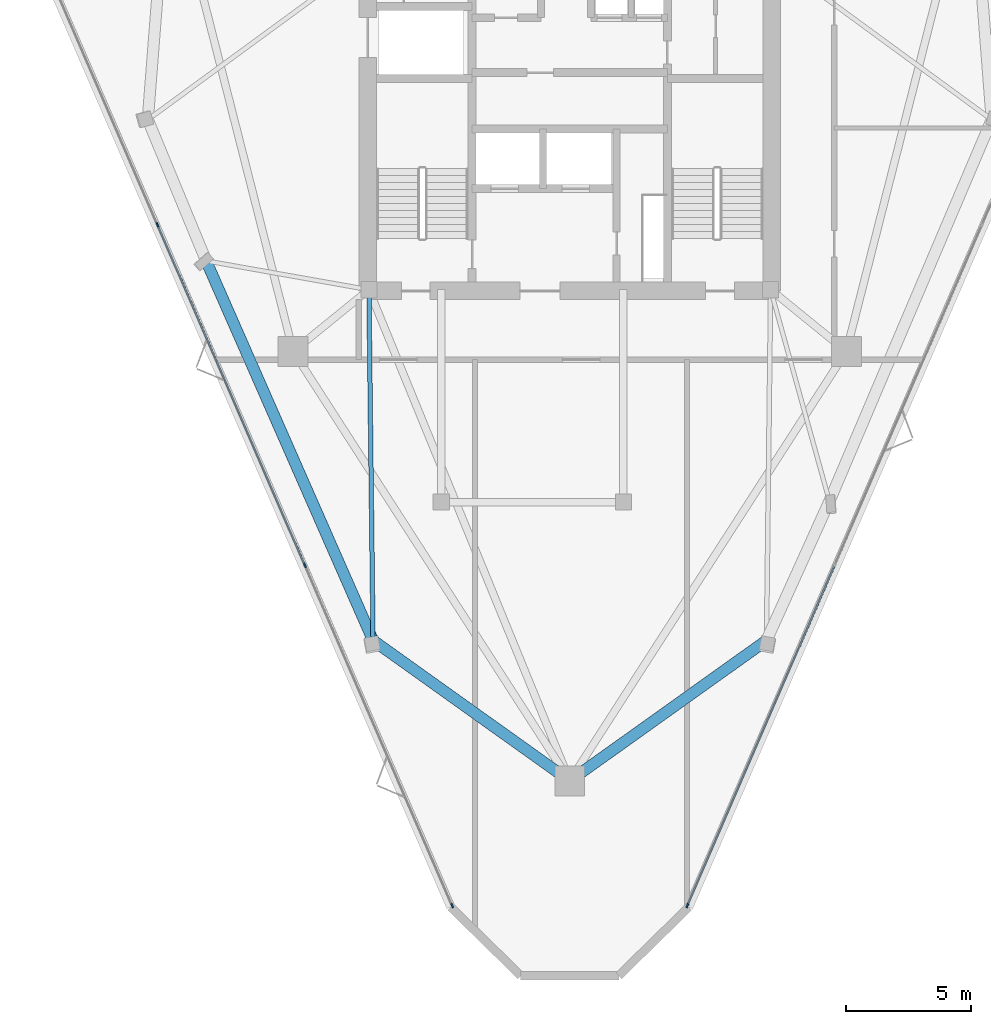
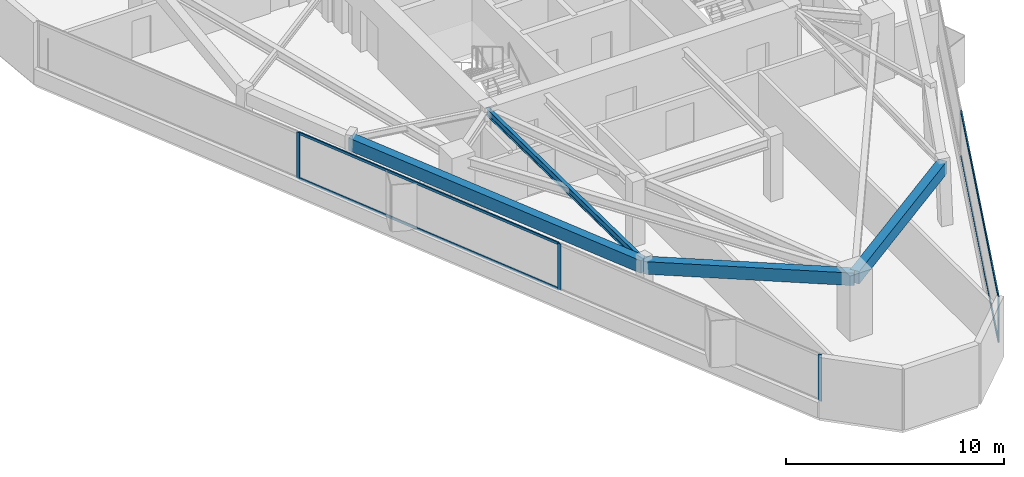
# One storey, part 2 of 11: 8 members, 4 beams, 2 elements without a shape of their own.
"""IFC4 building model written with IfcOpenShell, lengths in metres."""

from ifc_helpers import new_model, si_unit, direction, frame, origin, origin_2d, place, context, subcontext, project, spatial, rectangle, i_section, extrude, material, layer, layer_set, material_profile, profile_set, type_object, element, aggregate, save


model = new_model("IFC4")

# Units and contexts
model_context = context("Model", 3, precision=1e-05, world=origin(), true_north=direction((0.0, 1.0)))
body_context = subcontext(model_context, "Body", "Model", "MODEL_VIEW")
ifc_project = project(units=[si_unit("LENGTHUNIT", "METRE"), si_unit("AREAUNIT", "SQUARE_METRE"), si_unit("VOLUMEUNIT", "CUBIC_METRE"), si_unit("PLANEANGLEUNIT", "RADIAN"), si_unit("MASSUNIT", "GRAM", prefix="KILO")], contexts=[model_context])

# Site, building, storey
site_placement = place(None, origin())
site = spatial("IfcSite", under=ifc_project, at=site_placement, CompositionType="ELEMENT")
building_placement = place(site_placement, origin())
building = spatial("IfcBuilding", under=site, at=building_placement, Name="Talyreon Biosciences Tower", CompositionType="ELEMENT")
storey_placement = place(building_placement, frame((0.0, 0.0, 264.449951171875)))
storey = spatial("IfcBuildingStorey", under=building, at=storey_placement, Name="L70", CompositionType="ELEMENT", Elevation=264.449951171875)

# Curtain wall, members
ifc_material_1 = material(Name="Thermally broken aluminium and low-E glazing", Category="aluminium")
ifc_layer = layer(ifc_material_1, 0.175048828125)
ifc_layer_set = layer_set([ifc_layer], Name="Thermally broken aluminium and low-E glazing")
curtain_wall_type = type_object("IfcCurtainWallType", Name="CurtainWall_Zone5CompLab", PredefinedType="NOTDEFINED", material=ifc_layer_set)
curtain_wall_1_placement = place(storey_placement, origin())
curtain_wall_1 = element("IfcCurtainWall", 1, at=curtain_wall_1_placement, inside=storey, type_object=curtain_wall_type, Name="L70 Unitised Curtain Wall FCW-L70-00", PredefinedType="NOTDEFINED")
ifc_material_2 = material(Name="Anodised thermally broken aluminium", Category="aluminium")
ifc_material_profile_1 = material_profile(ifc_material_2, rectangle(XDim=0.06494140625, YDim=0.179931640625, at=origin_2d()), Name="ALUM MULLION 65x180")
ifc_profile_set_1 = profile_set([ifc_material_profile_1], Name="Anodised thermally broken aluminium")
member_type_1 = type_object("IfcMemberType", Name="CWMullion_65x180", PredefinedType="MULLION", material=ifc_profile_set_1)
member_1_placement = place(storey_placement, frame((61.288330078125, 36.6650390625, 0.81005859375), z_axis=(0.0, 0.0, 1.0), x_axis=(-0.917723103703, -0.397220725706, 0.0)))
member_1 = element("IfcMember", 2, at=member_1_placement, type_object=member_type_1, Name="CW6 mullion 1", PredefinedType="MULLION", context=body_context, shape_type="SweptSolid", body=[
    extrude(rectangle(XDim=0.06494140625, YDim=0.179931640625, at=origin_2d()), origin(), (0.0, 0.0, 1.0), 2.590087890625),
])
member_2_placement = place(storey_placement, frame((55.388427734375, 50.2958984375, 0.81005859375), z_axis=(0.0, 0.0, 1.0), x_axis=(-0.917723103703, -0.397220725706, 0.0)))
member_2 = element("IfcMember", 3, at=member_2_placement, type_object=member_type_1, Name="CW6 mullion 2", PredefinedType="MULLION", context=body_context, shape_type="SweptSolid", body=[
    extrude(rectangle(XDim=0.06494140625, YDim=0.179931640625, at=origin_2d()), origin(), (0.0, 0.0, 1.0), 2.590087890625),
])
member_3_placement = place(storey_placement, frame((49.4755859375, 63.95654296875, 0.81005859375), z_axis=(0.0, 0.0, 1.0), x_axis=(-0.917723103703, -0.397220725706, 0.0)))
member_3 = element("IfcMember", 4, at=member_3_placement, type_object=member_type_1, Name="CW6 mullion 3", PredefinedType="MULLION", context=body_context, shape_type="SweptSolid", body=[
    extrude(rectangle(XDim=0.06494140625, YDim=0.179931640625, at=origin_2d()), origin(), (0.0, 0.0, 1.0), 2.590087890625),
])

# Curtain wall, member
curtain_wall_2_placement = place(storey_placement, origin())
curtain_wall_2 = element("IfcCurtainWall", 5, at=curtain_wall_2_placement, inside=storey, type_object=curtain_wall_type, Name="L70 Unitised Curtain Wall FCW-L70-08", PredefinedType="NOTDEFINED")
member_4_placement = place(storey_placement, frame((70.711669921875, 36.6650390625, 0.81005859375), z_axis=(0.0, 0.0, 1.0), x_axis=(0.917723103703, -0.397220725706, 0.0)))
member_4 = element("IfcMember", 6, at=member_4_placement, type_object=member_type_1, Name="CW6 mullion 4", PredefinedType="MULLION", context=body_context, shape_type="SweptSolid", body=[
    extrude(rectangle(XDim=0.06494140625, YDim=0.179931640625, at=origin_2d()), origin(), (0.0, 0.0, 1.0), 2.590087890625),
])

# Member
ifc_material_profile_2 = material_profile(ifc_material_2, rectangle(XDim=0.06494140625, YDim=0.139892578125, at=origin_2d()), Name="ALUM TRANSOM 65x140")
ifc_profile_set_2 = profile_set([ifc_material_profile_2], Name="Anodised thermally broken aluminium")
member_type_2 = type_object("IfcMemberType", Name="CWTransom_65x140", PredefinedType="USERDEFINED", material=ifc_profile_set_2)
member_5_placement = place(storey_placement, frame((55.37548828125, 50.32568359375, 0.842529296875), z_axis=(-0.397219071365, 0.917723819754, 0.0), x_axis=(-0.917723819754, -0.397219071365, 0.0)))
member_5 = element("IfcMember", 7, at=member_5_placement, type_object=member_type_2, Name="CW6 transom 2.1", ObjectType="TRANSOM", PredefinedType="USERDEFINED", context=body_context, shape_type="SweptSolid", body=[
    extrude(rectangle(XDim=0.06494140625, YDim=0.139892578125, at=origin_2d()), origin(), (0.0, 0.0, 1.0), 14.820556640625),
])

member_6_placement = place(storey_placement, frame((55.37548828125, 50.32568359375, 3.367431640625), z_axis=(-0.397219071365, 0.917723819754, 0.0), x_axis=(-0.917723819754, -0.397219071365, 0.0)))
member_6 = element("IfcMember", 8, at=member_6_placement, type_object=member_type_2, Name="CW6 transom 2.2", ObjectType="TRANSOM", PredefinedType="USERDEFINED", context=body_context, shape_type="SweptSolid", body=[
    extrude(rectangle(XDim=0.06494140625, YDim=0.139892578125, at=origin_2d()), origin(), (0.0, 0.0, 1.0), 14.820556640625),
])

aggregate(curtain_wall_1, [member_1, member_2, member_3, member_5, member_6])

member_7_placement = place(storey_placement, frame((76.5986328125, 50.265869140625, 0.842529296875), z_axis=(-0.397222383185, -0.917722386289, 0.0), x_axis=(0.917722386289, -0.397222383185, 0.0)))
member_7 = element("IfcMember", 9, at=member_7_placement, type_object=member_type_2, Name="CW6 transom 3.1", ObjectType="TRANSOM", PredefinedType="USERDEFINED", context=body_context, shape_type="SweptSolid", body=[
    extrude(rectangle(XDim=0.06494140625, YDim=0.139892578125, at=origin_2d()), origin(), (0.0, 0.0, 1.0), 14.787841796875),
])

member_8_placement = place(storey_placement, frame((76.5986328125, 50.265869140625, 3.367431640625), z_axis=(-0.397222383185, -0.917722386289, 0.0), x_axis=(0.917722386289, -0.397222383185, 0.0)))
member_8 = element("IfcMember", 10, at=member_8_placement, type_object=member_type_2, Name="CW6 transom 3.2", ObjectType="TRANSOM", PredefinedType="USERDEFINED", context=body_context, shape_type="SweptSolid", body=[
    extrude(rectangle(XDim=0.06494140625, YDim=0.139892578125, at=origin_2d()), origin(), (0.0, 0.0, 1.0), 14.787841796875),
])

aggregate(curtain_wall_2, [member_4, member_7, member_8])

# Beams
ifc_material_3 = material(Name="Precast concrete C45/55", Category="concrete")
ifc_material_profile_3 = material_profile(ifc_material_3, rectangle(XDim=0.449951171875, YDim=0.699951171875, at=origin_2d()), Name="RCB 450x700")
ifc_profile_set_3 = profile_set([ifc_material_profile_3], Name="Precast concrete C45/55")
beam_type_1 = type_object("IfcBeamType", Name="ExpressedSpandrel_450x700", PredefinedType="SPANDREL", material=ifc_profile_set_3)
beam_1_placement = place(storey_placement, frame((66.0, 41.6669921875, 3.050048828125), z_axis=(0.813965025791, 0.580913880699, 0.0), x_axis=(-0.580913880699, 0.813965025791, 0.0)))
element("IfcBeam", 11, at=beam_1_placement, inside=storey, type_object=beam_type_1, Name="L70 Expressed Horizontal Concrete Spandrel 01", PredefinedType="SPANDREL", context=body_context, shape_type="SweptSolid", body=[
    extrude(rectangle(XDim=0.449951171875, YDim=0.699951171875, at=origin_2d()), origin(), (0.0, 0.0, 1.0), 9.68603515625),
])
beam_2_placement = place(storey_placement, frame((51.4267578125, 62.50634765625, 3.050048828125), z_axis=(0.402519025226, -0.915411620164, 0.0), x_axis=(0.915411620164, 0.402519025226, 0.0)))
element("IfcBeam", 12, at=beam_2_placement, inside=storey, type_object=beam_type_1, Name="L70 Expressed Horizontal Concrete Spandrel 11", PredefinedType="SPANDREL", context=body_context, shape_type="SweptSolid", body=[
    extrude(rectangle(XDim=0.449951171875, YDim=0.699951171875, at=origin_2d()), origin(), (0.0, 0.0, 1.0), 16.618408203125),
])
beam_3_placement = place(storey_placement, frame((58.115966796875, 47.293701171875, 3.050048828125), z_axis=(0.813965025791, -0.580913880699, 0.0), x_axis=(0.580913880699, 0.813965025791, 0.0)))
element("IfcBeam", 13, at=beam_3_placement, inside=storey, type_object=beam_type_1, Name="L70 Expressed Horizontal Concrete Spandrel 12", PredefinedType="SPANDREL", context=body_context, shape_type="SweptSolid", body=[
    extrude(rectangle(XDim=0.449951171875, YDim=0.699951171875, at=origin_2d()), origin(), (0.0, 0.0, 1.0), 9.68603515625),
])
ifc_material_4 = material(Name="Steel SM355", Category="steel")
ifc_material_profile_4 = material_profile(ifc_material_4, i_section(OverallWidth=0.179931640625, OverallDepth=0.39990234375, WebThickness=0.008544921875, FlangeThickness=0.013427734375, FilletRadius=0.02099609375, at=origin_2d()), Name="IPE400")
ifc_profile_set_4 = profile_set([ifc_material_profile_4], Name="Steel SM355")
beam_type_2 = type_object("IfcBeamType", Name="SteelJoist_IPE400", PredefinedType="JOIST", material=ifc_profile_set_4)
beam_4_placement = place(storey_placement, frame((57.949951171875, 61.35009765625, 3.199951171875), z_axis=(0.011809858057, -0.999930261195, 0.0), x_axis=(0.999930261195, 0.011809858057, 0.0)))
element("IfcBeam", 14, at=beam_4_placement, inside=storey, type_object=beam_type_2, Name="L70 Radial Composite Floor Joist PC-SW2", PredefinedType="JOIST", context=body_context, shape_type="SweptSolid", body=[
    extrude(i_section(OverallWidth=0.179931640625, OverallDepth=0.39990234375, WebThickness=0.008544921875, FlangeThickness=0.013427734375, FilletRadius=0.02099609375, at=origin_2d()), origin(), (0.0, 0.0, 1.0), 14.057373046875),
])

save(model, "model.ifc")
